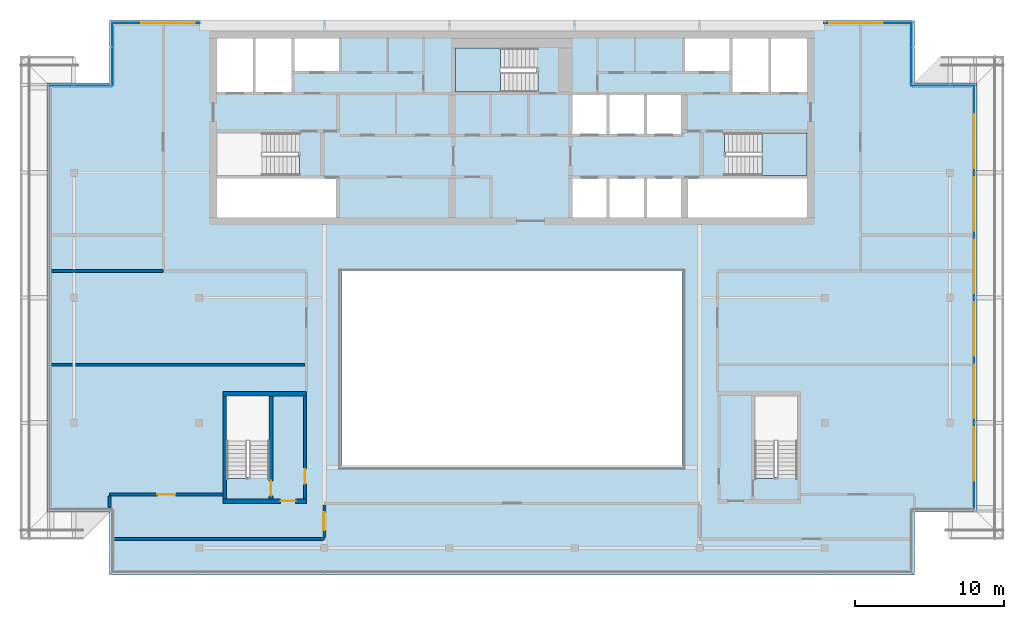
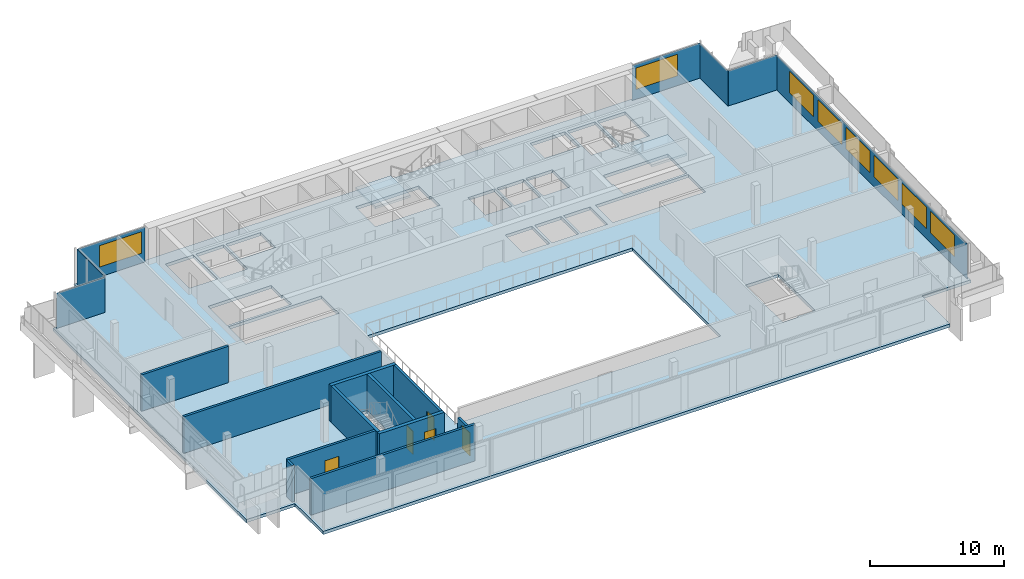
# One storey, part 10 of 20: 11 walls, 8 windows, 7 plates, 5 doors, 3 slabs, 13 openings, 8 elements without a shape of their own.
"""IFC4 building model written with IfcOpenShell, lengths in metres."""

from ifc_helpers import new_model, si_unit, direction, frame, frame_2d, origin, place, context, subcontext, project, spatial, polyline, rectangle, outline, extrude, material, layer, layer_set, type_object, element, fill, aggregate, save


model = new_model("IFC4")

# Units and contexts
model_context = context("Model", 3, precision=1e-05, world=origin(), true_north=direction((0.0, 1.0)))
body_context = subcontext(model_context, "Body", "Model", "MODEL_VIEW")
ifc_project = project(units=[si_unit("LENGTHUNIT", "METRE"), si_unit("AREAUNIT", "SQUARE_METRE"), si_unit("VOLUMEUNIT", "CUBIC_METRE"), si_unit("PLANEANGLEUNIT", "RADIAN"), si_unit("MASSUNIT", "GRAM", prefix="KILO")], contexts=[model_context])

# Site, building, storey
site_placement = place(None, origin())
site = spatial("IfcSite", under=ifc_project, at=site_placement, CompositionType="ELEMENT")
building_placement = place(site_placement, origin())
building = spatial("IfcBuilding", under=site, at=building_placement, Name="Saffron Gate Tower", CompositionType="ELEMENT")
storey_placement = place(building_placement, frame((0.0, 0.0, 303.14990234375)))
storey = spatial("IfcBuildingStorey", under=building, at=storey_placement, Name="L74", CompositionType="ELEMENT", Elevation=303.14990234375)

# Curtain wall, plate, openings, windows
ifc_material_1 = material(Name="Aluminium, bronze anodised", Category="aluminium")
curtain_wall_type_1 = type_object("IfcCurtainWallType", Name="CWS2 curtain wall side facades", PredefinedType="NOTDEFINED", material=ifc_material_1)
curtain_wall_1_placement = place(storey_placement, origin())
curtain_wall_1 = element("IfcCurtainWall", 1, at=curtain_wall_1_placement, inside=storey, type_object=curtain_wall_type_1, Name="CWS2 run 4", PredefinedType="NOTDEFINED")
ifc_material_2 = material(Name="Fritted bronze-tinted laminated glass", Category="glass")
ifc_layer_1 = layer(ifc_material_2, 0.028076171875)
ifc_layer_set_1 = layer_set([ifc_layer_1], Name="CWS2 fixed glass")
plate_type_1 = type_object("IfcPlateType", Name="CWS2 fixed glass", PredefinedType="CURTAIN_PANEL", material=ifc_layer_set_1)
plate_1_placement = place(storey_placement, frame((118.6259765625, 42.7880859375, 0.0), z_axis=(0.0, 0.0, 1.0), x_axis=(0.0, 1.0, 0.0)))
plate_1 = element("IfcPlate", 2, at=plate_1_placement, type_object=plate_type_1, Name="CWS2 glass panel", PredefinedType="CURTAIN_PANEL", context=body_context, shape_type="SweptSolid", body=[
    extrude(rectangle(XDim=28.423828125, YDim=0.028076171875, at=frame_2d((14.2119140625, 0.0))), origin(), (0.0, 0.0, 1.0), 3.2001953125),
])
opening_1_placement = place(plate_1_placement, frame((1.912109375, 0.0, 0.89990234375)))
opening_1 = element("IfcOpeningElement", 3, at=opening_1_placement, cuts=plate_1, Name="Opening W1", PredefinedType="OPENING", context=body_context, shape_type="SweptSolid", body=[
    extrude(rectangle(XDim=3.60009765625, YDim=1.949951171875, at=frame_2d((1.800048828125, 0.97509765625))), frame((0.0, 0.02392578125, 0.0), z_axis=(0.0, -1.0, 0.0), x_axis=(1.0, 0.0, 0.0)), (0.0, 0.0, 1.0), 0.048095703125),
])
opening_2_placement = place(plate_1_placement, frame((6.112060546875, 0.0, 0.89990234375)))
opening_2 = element("IfcOpeningElement", 4, at=opening_2_placement, cuts=plate_1, Name="Opening W1", PredefinedType="OPENING", context=body_context, shape_type="SweptSolid", body=[
    extrude(rectangle(XDim=3.60009765625, YDim=1.949951171875, at=frame_2d((1.800048828125, 0.97509765625))), frame((0.0, 0.02392578125, 0.0), z_axis=(0.0, -1.0, 0.0), x_axis=(1.0, 0.0, 0.0)), (0.0, 0.0, 1.0), 0.048095703125),
])
opening_3_placement = place(plate_1_placement, frame((10.31201171875, 0.0, 0.89990234375)))
opening_3 = element("IfcOpeningElement", 5, at=opening_3_placement, cuts=plate_1, Name="Opening W1", PredefinedType="OPENING", context=body_context, shape_type="SweptSolid", body=[
    extrude(rectangle(XDim=3.60009765625, YDim=1.949951171875, at=frame_2d((1.800048828125, 0.97509765625))), frame((0.0, 0.02392578125, 0.0), z_axis=(0.0, -1.0, 0.0), x_axis=(1.0, 0.0, 0.0)), (0.0, 0.0, 1.0), 0.048095703125),
])
opening_4_placement = place(plate_1_placement, frame((14.511962890625, 0.0, 0.89990234375)))
opening_4 = element("IfcOpeningElement", 6, at=opening_4_placement, cuts=plate_1, Name="Opening W1", PredefinedType="OPENING", context=body_context, shape_type="SweptSolid", body=[
    extrude(rectangle(XDim=3.60009765625, YDim=1.949951171875, at=frame_2d((1.800048828125, 0.97509765625))), frame((0.0, 0.02392578125, 0.0), z_axis=(0.0, -1.0, 0.0), x_axis=(1.0, 0.0, 0.0)), (0.0, 0.0, 1.0), 0.048095703125),
])
opening_5_placement = place(plate_1_placement, frame((18.7119140625, 0.0, 0.89990234375)))
opening_5 = element("IfcOpeningElement", 7, at=opening_5_placement, cuts=plate_1, Name="Opening W1", PredefinedType="OPENING", context=body_context, shape_type="SweptSolid", body=[
    extrude(rectangle(XDim=3.60009765625, YDim=1.949951171875, at=frame_2d((1.800048828125, 0.97509765625))), frame((0.0, 0.02392578125, 0.0), z_axis=(0.0, -1.0, 0.0), x_axis=(1.0, 0.0, 0.0)), (0.0, 0.0, 1.0), 0.048095703125),
])
opening_6_placement = place(plate_1_placement, frame((22.912109375, 0.0, 0.89990234375)))
opening_6 = element("IfcOpeningElement", 8, at=opening_6_placement, cuts=plate_1, Name="Opening W1", PredefinedType="OPENING", context=body_context, shape_type="SweptSolid", body=[
    extrude(rectangle(XDim=3.60009765625, YDim=1.949951171875, at=frame_2d((1.800048828125, 0.97509765625))), frame((0.0, 0.02392578125, 0.0), z_axis=(0.0, -1.0, 0.0), x_axis=(1.0, 0.0, 0.0)), (0.0, 0.0, 1.0), 0.048095703125),
])
ifc_material_3 = material(Name="Fritted bronze-tinted laminated glass in bronze frame", Category="glass")
ifc_layer_2 = layer(ifc_material_3, 0.06005859375)
ifc_layer_set_2 = layer_set([ifc_layer_2], Name="W1 operable panel 3600x1950")
window_type = type_object("IfcWindowType", Name="W1 operable panel 3600x1950", PartitioningType="DOUBLE_PANEL_HORIZONTAL", PredefinedType="WINDOW", material=ifc_layer_set_2)
window_1_placement = place(opening_1_placement, origin())
window_1 = element("IfcWindow", 9, at=window_1_placement, type_object=window_type, Name="W1 operable panel", OverallHeight=1.949951171875, OverallWidth=3.60009765625, PartitioningType="SINGLE_PANEL", PredefinedType="WINDOW", context=body_context, shape_type="SweptSolid", body=[
    extrude(rectangle(XDim=3.60009765625, YDim=1.949951171875, at=frame_2d((1.800048828125, 0.97509765625))), frame((0.0, 0.013671875, 0.0), z_axis=(0.0, -1.0, 0.0), x_axis=(1.0, 0.0, 0.0)), (0.0, 0.0, 1.0), 0.027587890625),
])
fill(opening_1, window_1)
window_2_placement = place(opening_2_placement, origin())
window_2 = element("IfcWindow", 10, at=window_2_placement, type_object=window_type, Name="W1 operable panel", OverallHeight=1.949951171875, OverallWidth=3.60009765625, PartitioningType="SINGLE_PANEL", PredefinedType="WINDOW", context=body_context, shape_type="SweptSolid", body=[
    extrude(rectangle(XDim=3.60009765625, YDim=1.949951171875, at=frame_2d((1.800048828125, 0.97509765625))), frame((0.0, 0.013671875, 0.0), z_axis=(0.0, -1.0, 0.0), x_axis=(1.0, 0.0, 0.0)), (0.0, 0.0, 1.0), 0.027587890625),
])
fill(opening_2, window_2)
window_3_placement = place(opening_3_placement, origin())
window_3 = element("IfcWindow", 11, at=window_3_placement, type_object=window_type, Name="W1 operable panel", OverallHeight=1.949951171875, OverallWidth=3.60009765625, PartitioningType="SINGLE_PANEL", PredefinedType="WINDOW", context=body_context, shape_type="SweptSolid", body=[
    extrude(rectangle(XDim=3.60009765625, YDim=1.949951171875, at=frame_2d((1.800048828125, 0.97509765625))), frame((0.0, 0.013671875, 0.0), z_axis=(0.0, -1.0, 0.0), x_axis=(1.0, 0.0, 0.0)), (0.0, 0.0, 1.0), 0.027587890625),
])
fill(opening_3, window_3)
window_4_placement = place(opening_4_placement, origin())
window_4 = element("IfcWindow", 12, at=window_4_placement, type_object=window_type, Name="W1 operable panel", OverallHeight=1.949951171875, OverallWidth=3.60009765625, PartitioningType="SINGLE_PANEL", PredefinedType="WINDOW", context=body_context, shape_type="SweptSolid", body=[
    extrude(rectangle(XDim=3.60009765625, YDim=1.949951171875, at=frame_2d((1.800048828125, 0.97509765625))), frame((0.0, 0.013671875, 0.0), z_axis=(0.0, -1.0, 0.0), x_axis=(1.0, 0.0, 0.0)), (0.0, 0.0, 1.0), 0.027587890625),
])
fill(opening_4, window_4)
window_5_placement = place(opening_5_placement, origin())
window_5 = element("IfcWindow", 13, at=window_5_placement, type_object=window_type, Name="W1 operable panel", OverallHeight=1.949951171875, OverallWidth=3.60009765625, PartitioningType="SINGLE_PANEL", PredefinedType="WINDOW", context=body_context, shape_type="SweptSolid", body=[
    extrude(rectangle(XDim=3.60009765625, YDim=1.949951171875, at=frame_2d((1.800048828125, 0.97509765625))), frame((0.0, 0.013671875, 0.0), z_axis=(0.0, -1.0, 0.0), x_axis=(1.0, 0.0, 0.0)), (0.0, 0.0, 1.0), 0.027587890625),
])
fill(opening_5, window_5)
window_6_placement = place(opening_6_placement, origin())
window_6 = element("IfcWindow", 14, at=window_6_placement, type_object=window_type, Name="W1 operable panel", OverallHeight=1.949951171875, OverallWidth=3.60009765625, PartitioningType="SINGLE_PANEL", PredefinedType="WINDOW", context=body_context, shape_type="SweptSolid", body=[
    extrude(rectangle(XDim=3.60009765625, YDim=1.949951171875, at=frame_2d((1.800048828125, 0.97509765625))), frame((0.0, 0.013671875, 0.0), z_axis=(0.0, -1.0, 0.0), x_axis=(1.0, 0.0, 0.0)), (0.0, 0.0, 1.0), 0.027587890625),
])
fill(opening_6, window_6)
aggregate(curtain_wall_1, [plate_1, window_1, window_2, window_3, window_4, window_5, window_6])

# Curtain wall, plates, openings, windows
curtain_wall_type_2 = type_object("IfcCurtainWallType", Name="CWS3 curtain wall rear facade", PredefinedType="NOTDEFINED", material=ifc_material_1)
curtain_wall_2_placement = place(storey_placement, origin())
curtain_wall_2 = element("IfcCurtainWall", 15, at=curtain_wall_2_placement, inside=storey, type_object=curtain_wall_type_2, Name="CWS3 run 7", PredefinedType="NOTDEFINED")
ifc_material_4 = material(Name="Fritted grey-tinted laminated glass", Category="glass")
ifc_layer_3 = layer(ifc_material_4, 0.028076171875)
ifc_layer_set_3 = layer_set([ifc_layer_3], Name="CWS3 fixed glass")
plate_type_2 = type_object("IfcPlateType", Name="CWS3 fixed glass", PredefinedType="CURTAIN_PANEL", material=ifc_layer_set_3)
plate_2_placement = place(storey_placement, frame((114.412109375, 75.426025390625, 0.0), z_axis=(0.0, 0.0, 1.0), x_axis=(-1.0, 0.0, 0.0)))
plate_2 = element("IfcPlate", 16, at=plate_2_placement, type_object=plate_type_2, Name="CWS3 glass panel", PredefinedType="CURTAIN_PANEL", context=body_context, shape_type="SweptSolid", body=[
    extrude(rectangle(XDim=5.84716796875, YDim=0.028076171875, at=frame_2d((2.923583984375, 0.0))), origin(), (0.0, 0.0, 1.0), 3.2001953125),
])
opening_7_placement = place(plate_2_placement, frame((1.912109375, 0.0, 0.89990234375)))
opening_7 = element("IfcOpeningElement", 17, at=opening_7_placement, cuts=plate_2, Name="Opening W1", PredefinedType="OPENING", context=body_context, shape_type="SweptSolid", body=[
    extrude(rectangle(XDim=3.60009765625, YDim=1.949951171875, at=frame_2d((1.800048828125, 0.97509765625))), frame((0.0, 0.02392578125, 0.0), z_axis=(0.0, -1.0, 0.0), x_axis=(1.0, 0.0, 0.0)), (0.0, 0.0, 1.0), 0.048095703125),
])
window_7_placement = place(opening_7_placement, origin())
window_7 = element("IfcWindow", 18, at=window_7_placement, type_object=window_type, Name="W1 operable panel", OverallHeight=1.949951171875, OverallWidth=3.60009765625, PartitioningType="SINGLE_PANEL", PredefinedType="WINDOW", context=body_context, shape_type="SweptSolid", body=[
    extrude(rectangle(XDim=3.60009765625, YDim=1.949951171875, at=frame_2d((1.800048828125, 0.97509765625))), frame((0.0, 0.013671875, 0.0), z_axis=(0.0, -1.0, 0.0), x_axis=(1.0, 0.0, 0.0)), (0.0, 0.0, 1.0), 0.027587890625),
])
fill(opening_7, window_7)
plate_3_placement = place(storey_placement, frame((66.635009765625, 75.426025390625, 0.0), z_axis=(0.0, 0.0, 1.0), x_axis=(-1.0, 0.0, 0.0)))
plate_3 = element("IfcPlate", 19, at=plate_3_placement, type_object=plate_type_2, Name="CWS3 glass panel", PredefinedType="CURTAIN_PANEL", context=body_context, shape_type="SweptSolid", body=[
    extrude(rectangle(XDim=5.846923828125, YDim=0.028076171875, at=frame_2d((2.92333984375, 0.0))), origin(), (0.0, 0.0, 1.0), 3.2001953125),
])
opening_8_placement = place(plate_3_placement, frame((0.3349609375, 0.0, 0.89990234375)))
opening_8 = element("IfcOpeningElement", 20, at=opening_8_placement, cuts=plate_3, Name="Opening W1", PredefinedType="OPENING", context=body_context, shape_type="SweptSolid", body=[
    extrude(rectangle(XDim=3.60009765625, YDim=1.949951171875, at=frame_2d((1.800048828125, 0.97509765625))), frame((0.0, 0.02392578125, 0.0), z_axis=(0.0, -1.0, 0.0), x_axis=(1.0, 0.0, 0.0)), (0.0, 0.0, 1.0), 0.048095703125),
])
window_8_placement = place(opening_8_placement, origin())
window_8 = element("IfcWindow", 21, at=window_8_placement, type_object=window_type, Name="W1 operable panel", OverallHeight=1.949951171875, OverallWidth=3.60009765625, PartitioningType="SINGLE_PANEL", PredefinedType="WINDOW", context=body_context, shape_type="SweptSolid", body=[
    extrude(rectangle(XDim=3.60009765625, YDim=1.949951171875, at=frame_2d((1.800048828125, 0.97509765625))), frame((0.0, 0.013671875, 0.0), z_axis=(0.0, -1.0, 0.0), x_axis=(1.0, 0.0, 0.0)), (0.0, 0.0, 1.0), 0.027587890625),
])
fill(opening_8, window_8)
aggregate(curtain_wall_2, [plate_2, plate_3, window_7, window_8])

# Curtain wall, plate
curtain_wall_type_3 = type_object("IfcCurtainWallType", Name="CWS4 curtain wall corner returns", PredefinedType="NOTDEFINED", material=ifc_material_1)
curtain_wall_3_placement = place(storey_placement, origin())
curtain_wall_3 = element("IfcCurtainWall", 22, at=curtain_wall_3_placement, inside=storey, type_object=curtain_wall_type_3, Name="CWS4 run 5", PredefinedType="NOTDEFINED")
ifc_layer_4 = layer(ifc_material_2, 0.028076171875)
ifc_layer_set_4 = layer_set([ifc_layer_4], Name="CWS4 fixed glass")
plate_type_3 = type_object("IfcPlateType", Name="CWS4 fixed glass", PredefinedType="CURTAIN_PANEL", material=ifc_layer_set_4)
plate_4_placement = place(storey_placement, frame((118.612060546875, 71.22607421875, 0.0), z_axis=(0.0, 0.0, 1.0), x_axis=(-1.0, 0.0, 0.0)))
plate_4 = element("IfcPlate", 23, at=plate_4_placement, type_object=plate_type_3, Name="CWS4 glass panel", PredefinedType="CURTAIN_PANEL", context=body_context, shape_type="SweptSolid", body=[
    extrude(rectangle(XDim=4.172119140625, YDim=0.028076171875, at=frame_2d((2.0859375, 0.0))), origin(), (0.0, 0.0, 1.0), 3.2001953125),
])
aggregate(curtain_wall_3, [plate_4])

curtain_wall_4_placement = place(storey_placement, origin())
curtain_wall_4 = element("IfcCurtainWall", 24, at=curtain_wall_4_placement, inside=storey, type_object=curtain_wall_type_3, Name="CWS4 run 6", PredefinedType="NOTDEFINED")
plate_5_placement = place(storey_placement, frame((114.426025390625, 71.239990234375, 0.0), z_axis=(0.0, 0.0, 1.0), x_axis=(0.0, 1.0, 0.0)))
plate_5 = element("IfcPlate", 25, at=plate_5_placement, type_object=plate_type_3, Name="CWS4 glass panel", PredefinedType="CURTAIN_PANEL", context=body_context, shape_type="SweptSolid", body=[
    extrude(rectangle(XDim=4.172119140625, YDim=0.028076171875, at=frame_2d((2.0859375, 0.0))), origin(), (0.0, 0.0, 1.0), 3.2001953125),
])
aggregate(curtain_wall_4, [plate_5])

curtain_wall_5_placement = place(storey_placement, origin())
curtain_wall_5 = element("IfcCurtainWall", 26, at=curtain_wall_5_placement, inside=storey, type_object=curtain_wall_type_3, Name="CWS4 run 8", PredefinedType="NOTDEFINED")
plate_6_placement = place(storey_placement, frame((60.77392578125, 75.412109375, 0.0), z_axis=(0.0, 0.0, 1.0), x_axis=(0.0, -1.0, 0.0)))
plate_6 = element("IfcPlate", 27, at=plate_6_placement, type_object=plate_type_3, Name="CWS4 glass panel", PredefinedType="CURTAIN_PANEL", context=body_context, shape_type="SweptSolid", body=[
    extrude(rectangle(XDim=4.172119140625, YDim=0.028076171875, at=frame_2d((2.0859375, 0.0))), origin(), (0.0, 0.0, 1.0), 3.2001953125),
])
aggregate(curtain_wall_5, [plate_6])

curtain_wall_6_placement = place(storey_placement, origin())
curtain_wall_6 = element("IfcCurtainWall", 28, at=curtain_wall_6_placement, inside=storey, type_object=curtain_wall_type_3, Name="CWS4 run 9", PredefinedType="NOTDEFINED")
plate_7_placement = place(storey_placement, frame((60.760009765625, 71.22607421875, 0.0), z_axis=(0.0, 0.0, 1.0), x_axis=(-1.0, 0.0, 0.0)))
plate_7 = element("IfcPlate", 29, at=plate_7_placement, type_object=plate_type_3, Name="CWS4 glass panel", PredefinedType="CURTAIN_PANEL", context=body_context, shape_type="SweptSolid", body=[
    extrude(rectangle(XDim=4.172119140625, YDim=0.028076171875, at=frame_2d((2.0859375, 0.0))), origin(), (0.0, 0.0, 1.0), 3.2001953125),
])
aggregate(curtain_wall_6, [plate_7])

# Slab
ifc_material_5 = material(Name="Concrete C40", Category="concrete")
ifc_layer_5 = layer(ifc_material_5, 0.280029296875)
ifc_layer_set_5 = layer_set([ifc_layer_5], Name="S2 FLOOR SLAB 280 CONCRETE C40")
slab_type_1 = type_object("IfcSlabType", Name="S2 FLOOR SLAB 280 CONCRETE C40", PredefinedType="FLOOR", material=ifc_layer_set_5)
slab_1_placement = place(storey_placement, frame((0.0, 0.0, -0.27978515625)))
element("IfcSlab", 30, at=slab_1_placement, inside=storey, type_object=slab_type_1, Name="S2 FLOOR SLAB", PredefinedType="FLOOR", context=body_context, shape_type="SweptSolid", body=[
    extrude(outline(polyline([(56.39990234375, 42.60009765625), (60.60009765625, 42.60009765625), (60.60009765625, 38.39990234375), (114.60009765625, 38.39990234375), (114.60009765625, 42.60009765625), (118.800048828125, 42.60009765625), (118.800048828125, 71.39990234375), (114.60009765625, 71.39990234375), (114.60009765625, 75.60009765625), (60.60009765625, 75.60009765625), (60.60009765625, 71.39990234375), (56.39990234375, 71.39990234375), (56.39990234375, 42.60009765625)]), holes=[polyline([(67.800048828125, 62.39990234375), (67.800048828125, 65.0), (75.800048828125, 65.0), (75.800048828125, 62.39990234375), (67.800048828125, 62.39990234375)]), polyline([(67.800048828125, 65.199951171875), (67.800048828125, 68.050048828125), (73.25, 68.050048828125), (73.25, 66.550048828125), (73.34912109375, 66.550048828125), (73.34912109375, 65.199951171875), (67.800048828125, 65.199951171875)]), polyline([(67.800048828125, 70.800048828125), (67.800048828125, 74.39990234375), (70.199951171875, 74.39990234375), (70.199951171875, 70.800048828125), (67.800048828125, 70.800048828125)]), polyline([(68.449951171875, 44.85107421875), (68.449951171875, 50.39990234375), (71.300048828125, 50.39990234375), (71.300048828125, 44.949951171875), (69.800048828125, 44.949951171875), (69.800048828125, 44.85107421875), (68.449951171875, 44.85107421875)]), polyline([(70.39990234375, 70.800048828125), (70.39990234375, 74.39990234375), (72.800048828125, 74.39990234375), (72.800048828125, 70.800048828125), (70.39990234375, 70.800048828125)]), polyline([(73.0, 72.199951171875), (73.0, 74.39990234375), (76.0, 74.39990234375), (76.0, 72.199951171875), (73.0, 72.199951171875)]), polyline([(76.199951171875, 45.60009765625), (76.199951171875, 58.800048828125), (99.0, 58.800048828125), (99.0, 45.60009765625), (76.199951171875, 45.60009765625)]), polyline([(83.800048828125, 70.800048828125), (83.800048828125, 73.75), (89.25, 73.75), (89.25, 72.14990234375), (89.34912109375, 72.14990234375), (89.34912109375, 70.800048828125), (83.800048828125, 70.800048828125)]), polyline([(91.64990234375, 62.39990234375), (91.64990234375, 65.0), (93.949951171875, 65.0), (93.949951171875, 62.39990234375), (91.64990234375, 62.39990234375)]), polyline([(91.64990234375, 68.0), (91.64990234375, 70.60009765625), (93.949951171875, 70.60009765625), (93.949951171875, 68.0), (91.64990234375, 68.0)]), polyline([(94.14990234375, 62.39990234375), (94.14990234375, 65.0), (96.449951171875, 65.0), (96.449951171875, 62.39990234375), (94.14990234375, 62.39990234375)]), polyline([(94.14990234375, 68.0), (94.14990234375, 70.60009765625), (96.449951171875, 70.60009765625), (96.449951171875, 68.0), (94.14990234375, 68.0)]), polyline([(96.64990234375, 62.39990234375), (96.64990234375, 65.0), (98.949951171875, 65.0), (98.949951171875, 62.39990234375), (96.64990234375, 62.39990234375)]), polyline([(96.64990234375, 68.0), (96.64990234375, 70.60009765625), (98.949951171875, 70.60009765625), (98.949951171875, 68.0), (96.64990234375, 68.0)]), polyline([(99.199951171875, 72.199951171875), (99.199951171875, 74.39990234375), (102.199951171875, 74.39990234375), (102.199951171875, 72.199951171875), (99.199951171875, 72.199951171875)]), polyline([(99.39990234375, 62.39990234375), (99.39990234375, 65.0), (107.39990234375, 65.0), (107.39990234375, 62.39990234375), (99.39990234375, 62.39990234375)]), polyline([(101.85107421875, 66.699951171875), (101.85107421875, 68.050048828125), (107.39990234375, 68.050048828125), (107.39990234375, 65.199951171875), (101.949951171875, 65.199951171875), (101.949951171875, 66.699951171875), (101.85107421875, 66.699951171875)]), polyline([(102.39990234375, 70.800048828125), (102.39990234375, 74.39990234375), (104.800048828125, 74.39990234375), (104.800048828125, 70.800048828125), (102.39990234375, 70.800048828125)]), polyline([(103.89990234375, 44.85107421875), (103.89990234375, 50.39990234375), (106.75, 50.39990234375), (106.75, 44.949951171875), (105.25, 44.949951171875), (105.25, 44.85107421875), (103.89990234375, 44.85107421875)]), polyline([(105.0, 70.800048828125), (105.0, 74.39990234375), (107.39990234375, 74.39990234375), (107.39990234375, 70.800048828125), (105.0, 70.800048828125)])]), origin(), (0.0, 0.0, 1.0), 0.27978515625),
])

# Stair, slab
stair_type = type_object("IfcStairType", Name="ST7 Stair 1350 wide, 20 risers of 180", PredefinedType="HALF_TURN_STAIR", material=ifc_material_5)
stair_1_placement = place(storey_placement, origin())
stair_1 = element("IfcStair", 31, at=stair_1_placement, inside=storey, type_object=stair_type, Name="L74 Exit stair B", PredefinedType="HALF_TURN_STAIR")
ifc_layer_6 = layer(ifc_material_5, 0.199951171875)
ifc_layer_set_6 = layer_set([ifc_layer_6], Name="SL1 Stair landing 200")
slab_type_2 = type_object("IfcSlabType", Name="SL1 Stair landing 200", PredefinedType="LANDING", material=ifc_layer_set_6)
slab_2_placement = place(storey_placement, frame((0.0, 0.0, 1.60009765625)))
slab_2 = element("IfcSlab", 32, at=slab_2_placement, type_object=slab_type_2, Name="ST-B landing 1", PredefinedType="LANDING", context=body_context, shape_type="SweptSolid", body=[
    extrude(outline(polyline([(104.3701171875, 65.199951171875), (107.39990234375, 65.199951171875), (107.39990234375, 68.050048828125), (104.3701171875, 68.050048828125), (104.3701171875, 65.199951171875)])), origin(), (0.0, 0.0, 1.0), 0.199951171875),
])
aggregate(stair_1, [slab_2])

stair_2_placement = place(storey_placement, origin())
stair_2 = element("IfcStair", 33, at=stair_2_placement, inside=storey, type_object=stair_type, Name="L74 Exit stair C", PredefinedType="HALF_TURN_STAIR")
slab_3_placement = place(storey_placement, frame((0.0, 0.0, 1.60009765625)))
slab_3 = element("IfcSlab", 34, at=slab_3_placement, type_object=slab_type_2, Name="ST-C landing 1", PredefinedType="LANDING", context=body_context, shape_type="SweptSolid", body=[
    extrude(outline(polyline([(86.830078125, 73.75), (83.800048828125, 73.75), (83.800048828125, 70.800048828125), (86.830078125, 70.800048828125), (86.830078125, 73.75)])), origin(), (0.0, 0.0, 1.0), 0.199951171875),
])
aggregate(stair_2, [slab_3])

# Wall, opening, door
ifc_material_6 = material(Name="Gypsum board partition on steel studs", Category="steel")
ifc_layer_7 = layer(ifc_material_6, 0.199951171875)
ifc_layer_set_7 = layer_set([ifc_layer_7], Name="CW10 Core partition 200")
wall_type_1 = type_object("IfcWallType", Name="CW10 Core partition 200", PredefinedType="PARTITIONING", material=ifc_layer_set_7)
wall_1_placement = place(storey_placement, frame((73.699951171875, 43.5, 0.0), z_axis=(0.0, 0.0, 1.0), x_axis=(0.0, 1.0, 0.0)))
wall_1 = element("IfcWall", 35, at=wall_1_placement, inside=storey, type_object=wall_type_1, Name="Wall CW10-L74-D-4", PredefinedType="PARTITIONING", context=body_context, shape_type="SweptSolid", body=[
    extrude(rectangle(XDim=6.89990234375, YDim=0.199951171875, at=frame_2d((3.449951171875, 0.0))), origin(), (0.0, 0.0, 1.0), 3.320068359375),
])
opening_9_placement = place(wall_1_placement, frame((1.0, 0.0, 0.0)))
opening_9 = element("IfcOpeningElement", 36, at=opening_9_placement, cuts=wall_1, Name="Opening CR-19", PredefinedType="OPENING", context=body_context, shape_type="SweptSolid", body=[
    extrude(rectangle(XDim=1.0, YDim=2.10009765625, at=frame_2d((0.5, 1.050048828125))), frame((0.0, 0.10986328125, 0.0), z_axis=(0.0, -1.0, 0.0), x_axis=(1.0, 0.0, 0.0)), (0.0, 0.0, 1.0), 0.219970703125),
])
ifc_material_7 = material(Name="Steel fire door set", Category="steel")
door_type_1 = type_object("IfcDoorType", Name="CD4 Lobby door 1000x2100 EI 120", OperationType="NOTDEFINED", PredefinedType="DOOR", material=ifc_material_7)
door_1_placement = place(opening_9_placement, origin())
door_1 = element("IfcDoor", 37, at=door_1_placement, inside=storey, type_object=door_type_1, Name="DOOR CR-19", OperationType="SINGLE_SWING_RIGHT", OverallHeight=2.10009765625, OverallWidth=1.0, PredefinedType="DOOR", context=body_context, shape_type="SweptSolid", body=[
    extrude(rectangle(XDim=1.0, YDim=2.10009765625, at=frame_2d((0.5, 1.050048828125))), frame((0.0, 0.02490234375, 0.0), z_axis=(0.0, -1.0, 0.0), x_axis=(1.0, 0.0, 0.0)), (0.0, 0.0, 1.0), 0.050048828125),
])
fill(opening_9, door_1)

# Wall
ifc_material_8 = material(Name="Concrete C50", Category="concrete")
ifc_layer_8 = layer(ifc_material_8, 0.25)
ifc_layer_set_8 = layer_set([ifc_layer_8], Name="CW23 RC core wall 250 C50")
wall_type_2 = type_object("IfcWallType", Name="CW23 RC core wall 250 C50", PredefinedType="SOLIDWALL", material=ifc_layer_set_8)
wall_2_placement = place(storey_placement, frame((68.324951171875, 43.5, 0.0), z_axis=(0.0, 0.0, 1.0), x_axis=(0.0, 1.0, 0.0)))
element("IfcWall", 38, at=wall_2_placement, inside=storey, type_object=wall_type_2, Name="Wall CW23-L74-D-2", PredefinedType="SOLIDWALL", context=body_context, shape_type="SweptSolid", body=[
    extrude(rectangle(XDim=6.89990234375, YDim=0.25, at=frame_2d((3.449951171875, 0.0))), origin(), (0.0, 0.0, 1.0), 3.320068359375),
])

# Wall, opening, door
wall_3_placement = place(storey_placement, frame((71.425048828125, 43.5, 0.0), z_axis=(0.0, 0.0, 1.0), x_axis=(0.0, 1.0, 0.0)))
wall_3 = element("IfcWall", 39, at=wall_3_placement, inside=storey, type_object=wall_type_2, Name="Wall CW23-L74-D-3", PredefinedType="SOLIDWALL", context=body_context, shape_type="SweptSolid", body=[
    extrude(rectangle(XDim=6.89990234375, YDim=0.25, at=frame_2d((3.449951171875, 0.0))), origin(), (0.0, 0.0, 1.0), 3.320068359375),
])
opening_10_placement = place(wall_3_placement, frame((0.199951171875, 0.0, 0.0)))
opening_10 = element("IfcOpeningElement", 40, at=opening_10_placement, cuts=wall_3, Name="Opening CR-20", PredefinedType="OPENING", context=body_context, shape_type="SweptSolid", body=[
    extrude(rectangle(XDim=1.0, YDim=2.10009765625, at=frame_2d((0.5, 1.050048828125))), frame((0.0, 0.135009765625, 0.0), z_axis=(0.0, -1.0, 0.0), x_axis=(1.0, 0.0, 0.0)), (0.0, 0.0, 1.0), 0.27001953125),
])
door_type_2 = type_object("IfcDoorType", Name="CD5 Stair door 1000x2100 EI 120", OperationType="NOTDEFINED", PredefinedType="DOOR", material=ifc_material_7)
door_2_placement = place(opening_10_placement, origin())
door_2 = element("IfcDoor", 41, at=door_2_placement, inside=storey, type_object=door_type_2, Name="DOOR CR-20", OperationType="SINGLE_SWING_LEFT", OverallHeight=2.10009765625, OverallWidth=1.0, PredefinedType="DOOR", context=body_context, shape_type="SweptSolid", body=[
    extrude(rectangle(XDim=1.0, YDim=2.10009765625, at=frame_2d((0.5, 1.050048828125))), frame((0.0, 0.02490234375, 0.0), z_axis=(0.0, -1.0, 0.0), x_axis=(1.0, 0.0, 0.0)), (0.0, 0.0, 1.0), 0.050048828125),
])
fill(opening_10, door_2)

ifc_layer_9 = layer(ifc_material_8, 0.300048828125)
ifc_layer_set_9 = layer_set([ifc_layer_9], Name="CW26 RC core wall 300 C50")
wall_type_3 = type_object("IfcWallType", Name="CW26 RC core wall 300 C50", PredefinedType="SOLIDWALL", material=ifc_layer_set_9)
wall_4_placement = place(storey_placement, frame((68.199951171875, 43.35009765625, 0.0), z_axis=(0.0, 0.0, 1.0), x_axis=(1.0, 0.0, 0.0)))
wall_4 = element("IfcWall", 42, at=wall_4_placement, inside=storey, type_object=wall_type_3, Name="Wall CW26-L74-D-1", PredefinedType="SOLIDWALL", context=body_context, shape_type="SweptSolid", body=[
    extrude(rectangle(XDim=5.60009765625, YDim=0.300048828125, at=frame_2d((2.800048828125, 0.0))), origin(), (0.0, 0.0, 1.0), 3.320068359375),
])
opening_11_placement = place(wall_4_placement, frame((3.875, 0.0, 0.0)))
opening_11 = element("IfcOpeningElement", 43, at=opening_11_placement, cuts=wall_4, Name="Opening CR-18", PredefinedType="OPENING", context=body_context, shape_type="SweptSolid", body=[
    extrude(rectangle(XDim=1.0, YDim=2.10009765625, at=frame_2d((0.5, 1.050048828125))), frame((0.0, 0.16015625, 0.0), z_axis=(0.0, -1.0, 0.0), x_axis=(1.0, 0.0, 0.0)), (0.0, 0.0, 1.0), 0.320068359375),
])
door_3_placement = place(opening_11_placement, origin())
door_3 = element("IfcDoor", 44, at=door_3_placement, inside=storey, type_object=door_type_1, Name="DOOR CR-18", OperationType="SINGLE_SWING_RIGHT", OverallHeight=2.10009765625, OverallWidth=1.0, PredefinedType="DOOR", context=body_context, shape_type="SweptSolid", body=[
    extrude(rectangle(XDim=1.0, YDim=2.10009765625, at=frame_2d((0.5, 1.050048828125))), frame((0.0, 0.02490234375, 0.0), z_axis=(0.0, -1.0, 0.0), x_axis=(1.0, 0.0, 0.0)), (0.0, 0.0, 1.0), 0.050048828125),
])
fill(opening_11, door_3)

# Walls
wall_5_placement = place(storey_placement, frame((68.199951171875, 50.550048828125, 0.0), z_axis=(0.0, 0.0, 1.0), x_axis=(1.0, 0.0, 0.0)))
element("IfcWall", 45, at=wall_5_placement, inside=storey, type_object=wall_type_3, Name="Wall CW26-L74-D-5", PredefinedType="SOLIDWALL", context=body_context, shape_type="SweptSolid", body=[
    extrude(rectangle(XDim=5.60009765625, YDim=0.300048828125, at=frame_2d((2.800048828125, 0.0))), origin(), (0.0, 0.0, 1.0), 3.320068359375),
])
ifc_material_9 = material(Name="Clay brick masonry, rendered", Category="masonry")
ifc_layer_10 = layer(ifc_material_9, 0.199951171875)
ifc_layer_set_10 = layer_set([ifc_layer_10], Name="PW3 Corridor wall 200")
wall_type_4 = type_object("IfcWallType", Name="PW3 Corridor wall 200", PredefinedType="PARTITIONING", material=ifc_layer_set_10)
wall_6_placement = place(storey_placement, frame((60.8798828125, 40.800048828125, 0.0), z_axis=(0.0, 0.0, 1.0), x_axis=(1.0, 0.0, 0.0)))
element("IfcWall", 46, at=wall_6_placement, inside=storey, type_object=wall_type_4, Name="Wall E6-1", PredefinedType="PARTITIONING", context=body_context, shape_type="SweptSolid", body=[
    extrude(rectangle(XDim=14.1201171875, YDim=0.199951171875, at=frame_2d((7.06005859375, 0.0))), origin(), (0.0, 0.0, 1.0), 3.320068359375),
])

# Wall, opening, door
wall_7_placement = place(storey_placement, frame((60.60009765625, 43.800048828125, 0.0), z_axis=(0.0, 0.0, 1.0), x_axis=(1.0, 0.0, 0.0)))
wall_7 = element("IfcWall", 47, at=wall_7_placement, inside=storey, type_object=wall_type_4, Name="Wall E6-4", PredefinedType="PARTITIONING", context=body_context, shape_type="SweptSolid", body=[
    extrude(rectangle(XDim=7.599853515625, YDim=0.199951171875, at=frame_2d((3.7998046875, 0.0))), origin(), (0.0, 0.0, 1.0), 3.320068359375),
])
opening_12_placement = place(wall_7_placement, frame((3.199951171875, 0.0, 0.0)))
opening_12 = element("IfcOpeningElement", 48, at=opening_12_placement, cuts=wall_7, Name="Opening E6-7", PredefinedType="OPENING", context=body_context, shape_type="SweptSolid", body=[
    extrude(rectangle(XDim=1.199951171875, YDim=2.10009765625, at=frame_2d((0.60009765625, 1.050048828125))), frame((0.0, 0.10986328125, 0.0), z_axis=(0.0, -1.0, 0.0), x_axis=(1.0, 0.0, 0.0)), (0.0, 0.0, 1.0), 0.219970703125),
])
ifc_material_10 = material(Name="Timber door set", Category="wood")
door_type_3 = type_object("IfcDoorType", Name="HD1 Hall door 1200x2100", OperationType="NOTDEFINED", PredefinedType="DOOR", material=ifc_material_10)
door_4_placement = place(opening_12_placement, origin())
door_4 = element("IfcDoor", 49, at=door_4_placement, inside=storey, type_object=door_type_3, Name="Door E6-7", OperationType="SINGLE_SWING_LEFT", OverallHeight=2.10009765625, OverallWidth=1.199951171875, PredefinedType="DOOR", context=body_context, shape_type="SweptSolid", body=[
    extrude(rectangle(XDim=1.199951171875, YDim=2.10009765625, at=frame_2d((0.60009765625, 1.050048828125))), frame((0.0, 0.02490234375, 0.0), z_axis=(0.0, -1.0, 0.0), x_axis=(1.0, 0.0, 0.0)), (0.0, 0.0, 1.0), 0.050048828125),
])
fill(opening_12, door_4)

# Wall
wall_8_placement = place(storey_placement, frame((60.60009765625, 43.699951171875, 0.0), z_axis=(0.0, 0.0, 1.0), x_axis=(0.0, -1.0, 0.0)))
element("IfcWall", 50, at=wall_8_placement, inside=storey, type_object=wall_type_4, Name="Wall E6-14", PredefinedType="PARTITIONING", context=body_context, shape_type="SweptSolid", body=[
    extrude(rectangle(XDim=0.820068359375, YDim=0.199951171875, at=frame_2d((0.41015625, 0.0))), origin(), (0.0, 0.0, 1.0), 3.320068359375),
])

# Wall, opening, door
wall_9_placement = place(storey_placement, frame((75.0, 43.10009765625, 0.0), z_axis=(0.0, 0.0, 1.0), x_axis=(0.0, -1.0, 0.0)))
wall_9 = element("IfcWall", 51, at=wall_9_placement, inside=storey, type_object=wall_type_4, Name="Wall E6-18", PredefinedType="PARTITIONING", context=body_context, shape_type="SweptSolid", body=[
    extrude(rectangle(XDim=2.2001953125, YDim=0.199951171875, at=frame_2d((1.10009765625, 0.0))), origin(), (0.0, 0.0, 1.0), 2.530029296875),
])
opening_13_placement = place(wall_9_placement, frame((0.5, 0.0, 0.0)))
opening_13 = element("IfcOpeningElement", 52, at=opening_13_placement, cuts=wall_9, Name="Opening E6-8", PredefinedType="OPENING", context=body_context, shape_type="SweptSolid", body=[
    extrude(rectangle(XDim=1.199951171875, YDim=2.10009765625, at=frame_2d((0.60009765625, 1.050048828125))), frame((0.0, 0.10986328125, 0.0), z_axis=(0.0, -1.0, 0.0), x_axis=(1.0, 0.0, 0.0)), (0.0, 0.0, 1.0), 0.219970703125),
])
door_5_placement = place(opening_13_placement, origin())
door_5 = element("IfcDoor", 53, at=door_5_placement, inside=storey, type_object=door_type_3, Name="Door E6-8", OperationType="SINGLE_SWING_RIGHT", OverallHeight=2.10009765625, OverallWidth=1.199951171875, PredefinedType="DOOR", context=body_context, shape_type="SweptSolid", body=[
    extrude(rectangle(XDim=1.199951171875, YDim=2.10009765625, at=frame_2d((0.60009765625, 1.050048828125))), frame((0.0, 0.02490234375, 0.0), z_axis=(0.0, -1.0, 0.0), x_axis=(1.0, 0.0, 0.0)), (0.0, 0.0, 1.0), 0.050048828125),
])
fill(opening_13, door_5)

# Walls
ifc_layer_11 = layer(ifc_material_9, 0.199951171875)
ifc_layer_set_11 = layer_set([ifc_layer_11], Name="PW5 Room wall 200")
wall_type_5 = type_object("IfcWallType", Name="PW5 Room wall 200", PredefinedType="PARTITIONING", material=ifc_layer_set_11)
wall_10_placement = place(storey_placement, frame((56.679931640625, 52.5, 0.0), z_axis=(0.0, 0.0, 1.0), x_axis=(1.0, 0.0, 0.0)))
element("IfcWall", 54, at=wall_10_placement, inside=storey, type_object=wall_type_5, Name="Wall E6-6", PredefinedType="PARTITIONING", context=body_context, shape_type="SweptSolid", body=[
    extrude(rectangle(XDim=17.02001953125, YDim=0.199951171875, at=frame_2d((8.510009765625, 0.0))), origin(), (0.0, 0.0, 1.0), 3.320068359375),
])
wall_11_placement = place(storey_placement, frame((56.699951171875, 58.800048828125, 0.0), z_axis=(0.0, 0.0, 1.0), x_axis=(1.0, 0.0, 0.0)))
element("IfcWall", 55, at=wall_11_placement, inside=storey, type_object=wall_type_5, Name="Wall E6-10", PredefinedType="PARTITIONING", context=body_context, shape_type="SweptSolid", body=[
    extrude(rectangle(XDim=7.47998046875, YDim=0.199951171875, at=frame_2d((3.739990234375, 0.0))), origin(), (0.0, 0.0, 1.0), 3.320068359375),
])

save(model, "model.ifc")
